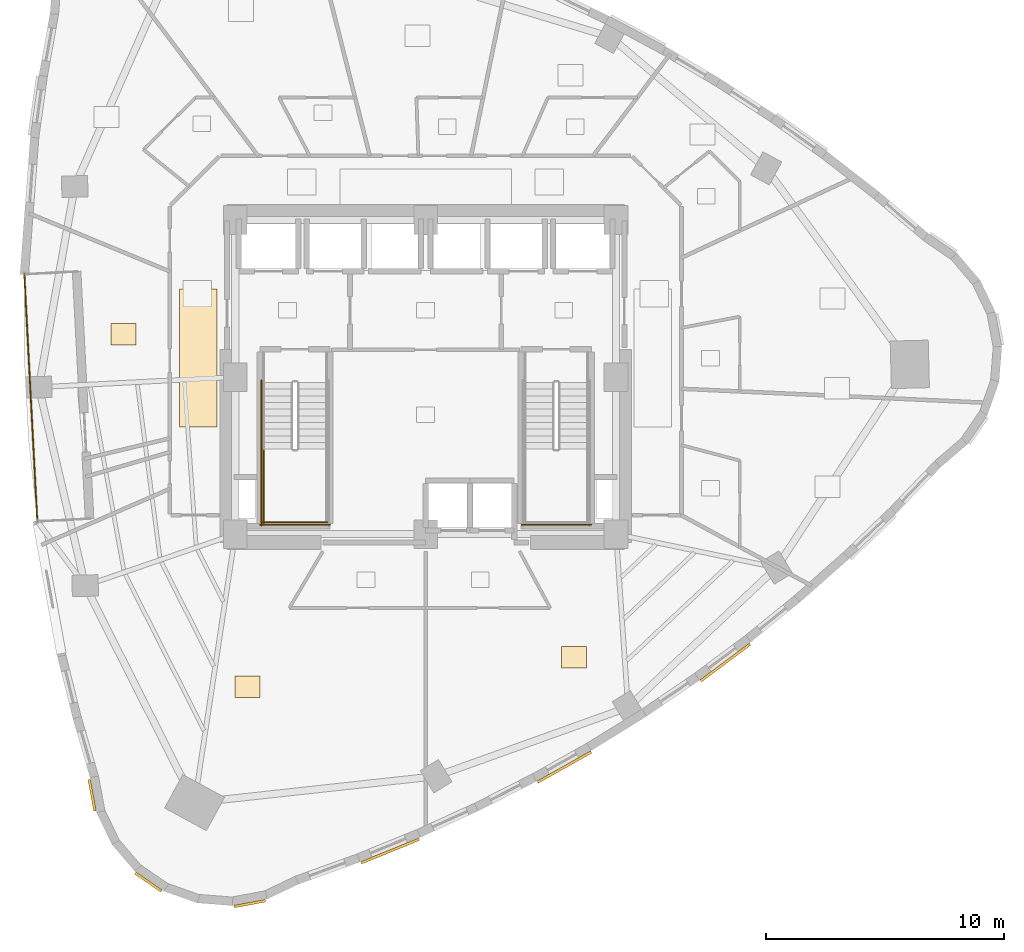
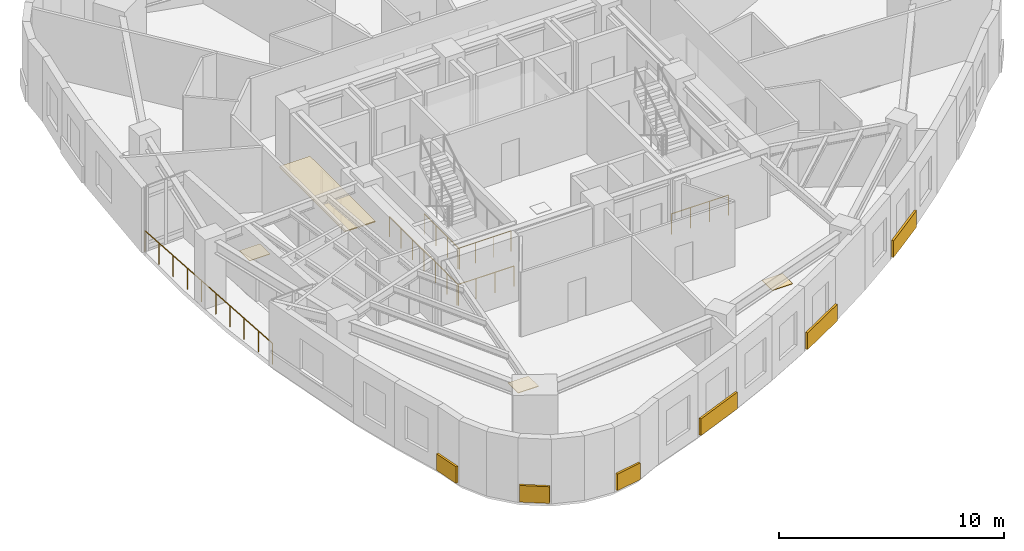
# One storey, part 10 of 12: 10 coverings, 6 railings.
"""IFC4 building model written with IfcOpenShell, lengths in metres."""

from ifc_helpers import new_model, si_unit, direction, frame, origin, origin_2d, place, context, subcontext, project, spatial, rectangle, circle, extrude, material, layer, layer_set, type_object, element, save


model = new_model("IFC4")

# Units and contexts
model_context = context("Model", 3, precision=1e-05, world=origin(), true_north=direction((0.0, 1.0)))
body_context = subcontext(model_context, "Body", "Model", "MODEL_VIEW")
ifc_project = project(units=[si_unit("LENGTHUNIT", "METRE"), si_unit("AREAUNIT", "SQUARE_METRE"), si_unit("VOLUMEUNIT", "CUBIC_METRE"), si_unit("PLANEANGLEUNIT", "RADIAN"), si_unit("MASSUNIT", "GRAM", prefix="KILO")], contexts=[model_context])

# Site, building, storey
site_placement = place(None, origin())
site = spatial("IfcSite", under=ifc_project, at=site_placement, CompositionType="ELEMENT")
building_placement = place(site_placement, origin())
building = spatial("IfcBuilding", under=site, at=building_placement, Name="Ndelora Gate Hotel", CompositionType="ELEMENT")
storey_placement = place(building_placement, frame((0.0, 0.0, 138.5)))
storey = spatial("IfcBuildingStorey", under=building, at=storey_placement, Name="L34", CompositionType="ELEMENT", Elevation=138.5)

# Coverings
ifc_material_1 = material(Name="Perforated Acoustic Gypsum Board", Category="gypsum")
ifc_layer_1 = layer(ifc_material_1, 0.054931640625)
ifc_layer_set_1 = layer_set([ifc_layer_1], Name="Perforated Acoustic Gypsum Board")
covering_type_1 = type_object("IfcCoveringType", Name="COV-CEIL-AC60", PredefinedType="CEILING", material=ifc_layer_set_1)
covering_1_placement = place(storey_placement, frame((-9.550048828125, 0.800048828125, 2.65234375), z_axis=(0.0, 0.0, 1.0), x_axis=(1.0, 0.0, 0.0)))
element("IfcCovering", 1, at=covering_1_placement, inside=storey, type_object=covering_type_1, Name="L34 Guest Corridor Acoustic Ceiling W", PredefinedType="CEILING", context=body_context, shape_type="SweptSolid", body=[
    extrude(rectangle(XDim=1.580078125, YDim=5.800048828125, at=origin_2d()), origin(), (0.0, 0.0, 1.0), 0.054931640625),
])
ifc_material_2 = material(Name="Terracotta Fired Clay Brick Slip Cladding", Category="masonry")
ifc_layer_2 = layer(ifc_material_2, 0.110107421875)
ifc_layer_set_2 = layer_set([ifc_layer_2], Name="Terracotta Fired Clay Brick Slip Cladding")
covering_type_2 = type_object("IfcCoveringType", Name="COV-CLAD-BRK", PredefinedType="CLADDING", material=ifc_layer_set_2)
for number, where, z_axis, x_axis, name in (
    (2, (-14.017333984375, -17.57373046875, 0.10009765625), (0.0, 0.0, 1.0), (-0.182235525492, 0.983254907564, 0.0), "L34 Rounded-Corner Brick Cladding Band 19"),
    (3, (-11.647216796875, -21.2236328125, 0.10009765625), (0.0, 0.0, 1.0), (-0.824126188622, 0.566406236925, 0.0), "L34 Rounded-Corner Brick Cladding Band 22"),
    (4, (-7.389892578125, -22.128662109375, 0.10009765625), (0.0, 0.0, 1.0), (0.983254907564, 0.182235525492, 0.0), "L34 Rounded-Corner Brick Cladding Band 25"),
):
    element("IfcCovering", number, at=place(storey_placement, frame(where, z_axis=z_axis, x_axis=x_axis)), inside=storey, type_object=covering_type_2, Name=name, PredefinedType="CLADDING", context=body_context, shape_type="SweptSolid", body=[
        extrude(rectangle(XDim=1.3359375, YDim=0.110107421875, at=origin_2d()), origin(), (0.0, 0.0, 1.0), 0.89990234375),
    ])
covering_2_placement = place(storey_placement, frame((-1.49169921875, -19.91796875, 0.10009765625), z_axis=(0.0, 0.0, 1.0), x_axis=(0.926068294858, 0.377355950342, 0.0)))
element("IfcCovering", 5, at=covering_2_placement, inside=storey, type_object=covering_type_2, Name="L34 Rounded-Corner Brick Cladding Band 28", PredefinedType="CLADDING", context=body_context, shape_type="SweptSolid", body=[
    extrude(rectangle(XDim=2.6279296875, YDim=0.110107421875, at=origin_2d()), origin(), (0.0, 0.0, 1.0), 0.89990234375),
])
for number, where, z_axis, x_axis, name in (
    (6, (5.833251953125, -16.3876953125, 0.10009765625), (0.0, 0.0, 1.0), (0.871641873673, 0.490143289315, 0.0), "L34 Rounded-Corner Brick Cladding Band 31"),
    (7, (12.598388671875, -11.994384765625, 0.10009765625), (0.0, 0.0, 1.0), (0.802296865209, 0.596925238263, 0.0), "L34 Rounded-Corner Brick Cladding Band 34"),
):
    element("IfcCovering", number, at=place(storey_placement, frame(where, z_axis=z_axis, x_axis=x_axis)), inside=storey, type_object=covering_type_2, Name=name, PredefinedType="CLADDING", context=body_context, shape_type="SweptSolid", body=[
        extrude(rectangle(XDim=2.583984375, YDim=0.110107421875, at=origin_2d()), origin(), (0.0, 0.0, 1.0), 0.89990234375),
    ])
ifc_material_3 = material(Name="Engineered Highland Oak Parquet", Category="wood")
ifc_layer_3 = layer(ifc_material_3, 0.030029296875)
ifc_layer_set_3 = layer_set([ifc_layer_3], Name="Engineered Highland Oak Parquet")
covering_type_3 = type_object("IfcCoveringType", Name="COV-FLR-PARQ", PredefinedType="FLOORING", material=ifc_layer_set_3)
for number, where, z_axis, x_axis, name in (
    (8, (-7.48681640625, -13.008056640625, 0.0), (0.0, 0.0, 1.0), (1.0, 0.0, 0.0), "L34 Club Twin Corner Suite 3701 Oak Parquet Flooring"),
    (9, (6.237548828125, -11.77490234375, 0.0), (0.0, 0.0, 1.0), (1.0, 0.0, 0.0), "L34 Club King Corner Suite 3702 Oak Parquet Flooring"),
    (10, (-12.6943359375, 1.801025390625, 0.0), (0.0, 0.0, 1.0), (1.0, 0.0, 0.0), "L34 Sky Garden Tea Dining Room Oak Parquet Flooring"),
):
    element("IfcCovering", number, at=place(storey_placement, frame(where, z_axis=z_axis, x_axis=x_axis)), inside=storey, type_object=covering_type_3, Name=name, PredefinedType="FLOORING", context=body_context, shape_type="SweptSolid", body=[
        extrude(rectangle(XDim=1.050048828125, YDim=0.89990234375, at=origin_2d()), origin(), (0.0, 0.0, 1.0), 0.030029296875),
    ])

# Railings
ifc_material_4 = material(Name="Laminated Safety Glass and Bronze Top Rail", Category="glass")
ifc_layer_4 = layer(ifc_material_4, 0.070068359375)
ifc_layer_set_4 = layer_set([ifc_layer_4], Name="Laminated Safety Glass and Bronze Top Rail")
railing_type_1 = type_object("IfcRailingType", Name="RL-BAL-1150", PredefinedType="BALUSTRADE", material=ifc_layer_set_4)
railing_1_placement = place(storey_placement, frame((-16.864990234375, 4.3232421875, 0.0)))
element("IfcRailing", 11, at=railing_1_placement, inside=storey, type_object=railing_type_1, Name="L34 Sky-Garden Loggia Terrace Balustrade", PredefinedType="BALUSTRADE", context=body_context, shape_type="SweptSolid", body=[
    extrude(circle(Radius=0.02392578125, at=origin_2d()), frame((0.0, 0.0, 1.1357421875), z_axis=(0.052325961458, -0.998630058509, 0.0), x_axis=(0.998630058509, 0.052325961458, 0.0)), (0.0, 0.0, 1.0), 10.39990234375),
    extrude(circle(Radius=0.02099609375, at=origin_2d()), origin(), (0.0, 0.0, 1.0), 1.11181640625),
    extrude(circle(Radius=0.02099609375, at=origin_2d()), frame((0.060546875, -1.154052734375, 0.0)), (0.0, 0.0, 1.0), 1.11181640625),
    extrude(circle(Radius=0.02099609375, at=origin_2d()), frame((0.120849609375, -2.307861328125, 0.0)), (0.0, 0.0, 1.0), 1.11181640625),
    extrude(circle(Radius=0.02099609375, at=origin_2d()), frame((0.181396484375, -3.4619140625, 0.0)), (0.0, 0.0, 1.0), 1.11181640625),
    extrude(circle(Radius=0.02099609375, at=origin_2d()), frame((0.241943359375, -4.615966796875, 0.0)), (0.0, 0.0, 1.0), 1.11181640625),
    extrude(circle(Radius=0.02099609375, at=origin_2d()), frame((0.30224609375, -5.769775390625, 0.0)), (0.0, 0.0, 1.0), 1.11181640625),
    extrude(circle(Radius=0.02099609375, at=origin_2d()), frame((0.36279296875, -6.923828125, 0.0)), (0.0, 0.0, 1.0), 1.11181640625),
    extrude(circle(Radius=0.02099609375, at=origin_2d()), frame((0.42333984375, -8.077880859375, 0.0)), (0.0, 0.0, 1.0), 1.11181640625),
    extrude(circle(Radius=0.02099609375, at=origin_2d()), frame((0.483642578125, -9.231689453125, 0.0)), (0.0, 0.0, 1.0), 1.11181640625),
    extrude(circle(Radius=0.02099609375, at=origin_2d()), frame((0.544189453125, -10.3857421875, 0.0)), (0.0, 0.0, 1.0), 1.11181640625),
])
ifc_material_5 = material(Name="Painted Galvanized Steel Balustrade", Category="steel")
ifc_layer_5 = layer(ifc_material_5, 0.06005859375)
ifc_layer_set_5 = layer_set([ifc_layer_5], Name="Painted Galvanized Steel Balustrade")
railing_type_2 = type_object("IfcRailingType", Name="RL-STAIR-GD", PredefinedType="GUARDRAIL", material=ifc_layer_set_5)
railing_2_placement = place(storey_placement, frame((-6.800048828125, -3.030029296875, 1.875)))
element("IfcRailing", 12, at=railing_2_placement, inside=storey, type_object=railing_type_2, Name="L34 ST4 stair guard 3", PredefinedType="GUARDRAIL", context=body_context, shape_type="SweptSolid", body=[
    extrude(circle(Radius=0.02392578125, at=origin_2d()), frame((0.0, 0.0, 1.10595703125), z_axis=(0.0, -1.0, 0.0), x_axis=(1.0, 0.0, 0.0)), (0.0, 0.0, 1.0), 3.119873046875),
    extrude(circle(Radius=0.02099609375, at=origin_2d()), origin(), (0.0, 0.0, 1.0), 1.081787109375),
    extrude(circle(Radius=0.02099609375, at=origin_2d()), frame((0.0, -1.0400390625, 0.0)), (0.0, 0.0, 1.0), 1.081787109375),
    extrude(circle(Radius=0.02099609375, at=origin_2d()), frame((0.0, -2.079833984375, 0.0)), (0.0, 0.0, 1.0), 1.081787109375),
    extrude(circle(Radius=0.02099609375, at=origin_2d()), frame((0.0, -3.119873046875, 0.0)), (0.0, 0.0, 1.0), 1.081787109375),
])
railing_3_placement = place(storey_placement, frame((-6.85009765625, -6.10009765625, 1.875)))
element("IfcRailing", 13, at=railing_3_placement, inside=storey, type_object=railing_type_2, Name="L34 ST4 stair guard 5", PredefinedType="GUARDRAIL", context=body_context, shape_type="SweptSolid", body=[
    extrude(circle(Radius=0.02392578125, at=origin_2d()), frame((0.0, 0.0, 1.10595703125), z_axis=(1.0, 0.0, 0.0), x_axis=(0.0, 1.0, 0.0)), (0.0, 0.0, 1.0), 2.72021484375),
    extrude(circle(Radius=0.02099609375, at=origin_2d()), origin(), (0.0, 0.0, 1.0), 1.081787109375),
    extrude(circle(Radius=0.02099609375, at=origin_2d()), frame((0.90673828125, 0.0, 0.0)), (0.0, 0.0, 1.0), 1.081787109375),
    extrude(circle(Radius=0.02099609375, at=origin_2d()), frame((1.8134765625, 0.0, 0.0)), (0.0, 0.0, 1.0), 1.081787109375),
    extrude(circle(Radius=0.02099609375, at=origin_2d()), frame((2.72021484375, 0.0, 0.0)), (0.0, 0.0, 1.0), 1.081787109375),
])
railing_4_placement = place(storey_placement, frame((-6.89990234375, -0.1298828125, 0.0)))
element("IfcRailing", 14, at=railing_4_placement, inside=storey, type_object=railing_type_2, Name="L34 ST4 stair guard 10", PredefinedType="GUARDRAIL", context=body_context, shape_type="SweptSolid", body=[
    extrude(circle(Radius=0.02392578125, at=origin_2d()), frame((0.0, 0.0, 1.10595703125), z_axis=(0.0, -1.0, 0.0), x_axis=(1.0, 0.0, 0.0)), (0.0, 0.0, 1.0), 6.1201171875),
    extrude(circle(Radius=0.02099609375, at=origin_2d()), origin(), (0.0, 0.0, 1.0), 1.081787109375),
    extrude(circle(Radius=0.02099609375, at=origin_2d()), frame((0.0, -1.02001953125, 0.0)), (0.0, 0.0, 1.0), 1.081787109375),
    extrude(circle(Radius=0.02099609375, at=origin_2d()), frame((0.0, -2.0400390625, 0.0)), (0.0, 0.0, 1.0), 1.081787109375),
    extrude(circle(Radius=0.02099609375, at=origin_2d()), frame((0.0, -3.06005859375, 0.0)), (0.0, 0.0, 1.0), 1.081787109375),
    extrude(circle(Radius=0.02099609375, at=origin_2d()), frame((0.0, -4.080078125, 0.0)), (0.0, 0.0, 1.0), 1.081787109375),
    extrude(circle(Radius=0.02099609375, at=origin_2d()), frame((0.0, -5.10009765625, 0.0)), (0.0, 0.0, 1.0), 1.081787109375),
    extrude(circle(Radius=0.02099609375, at=origin_2d()), frame((0.0, -6.1201171875, 0.0)), (0.0, 0.0, 1.0), 1.081787109375),
])
for number, where, name in (
    (15, (-6.949951171875, -6.199951171875, 0.0), "L34 ST4 stair guard 12"),
    (16, (4.030029296875, -6.199951171875, 0.0), "L34 ST5 stair guard 12"),
):
    element("IfcRailing", number, at=place(storey_placement, frame(where)), inside=storey, type_object=railing_type_2, Name=name, PredefinedType="GUARDRAIL", context=body_context, shape_type="SweptSolid", body=[
        extrude(circle(Radius=0.02392578125, at=origin_2d()), frame((0.0, 0.0, 1.10595703125), z_axis=(1.0, 0.0, 0.0), x_axis=(0.0, 1.0, 0.0)), (0.0, 0.0, 1.0), 2.919921875),
        extrude(circle(Radius=0.02099609375, at=origin_2d()), origin(), (0.0, 0.0, 1.0), 1.081787109375),
        extrude(circle(Radius=0.02099609375, at=origin_2d()), frame((0.973388671875, 0.0, 0.0)), (0.0, 0.0, 1.0), 1.081787109375),
        extrude(circle(Radius=0.02099609375, at=origin_2d()), frame((1.946533203125, 0.0, 0.0)), (0.0, 0.0, 1.0), 1.081787109375),
        extrude(circle(Radius=0.02099609375, at=origin_2d()), frame((2.919921875, 0.0, 0.0)), (0.0, 0.0, 1.0), 1.081787109375),
    ])

save(model, "model.ifc")
